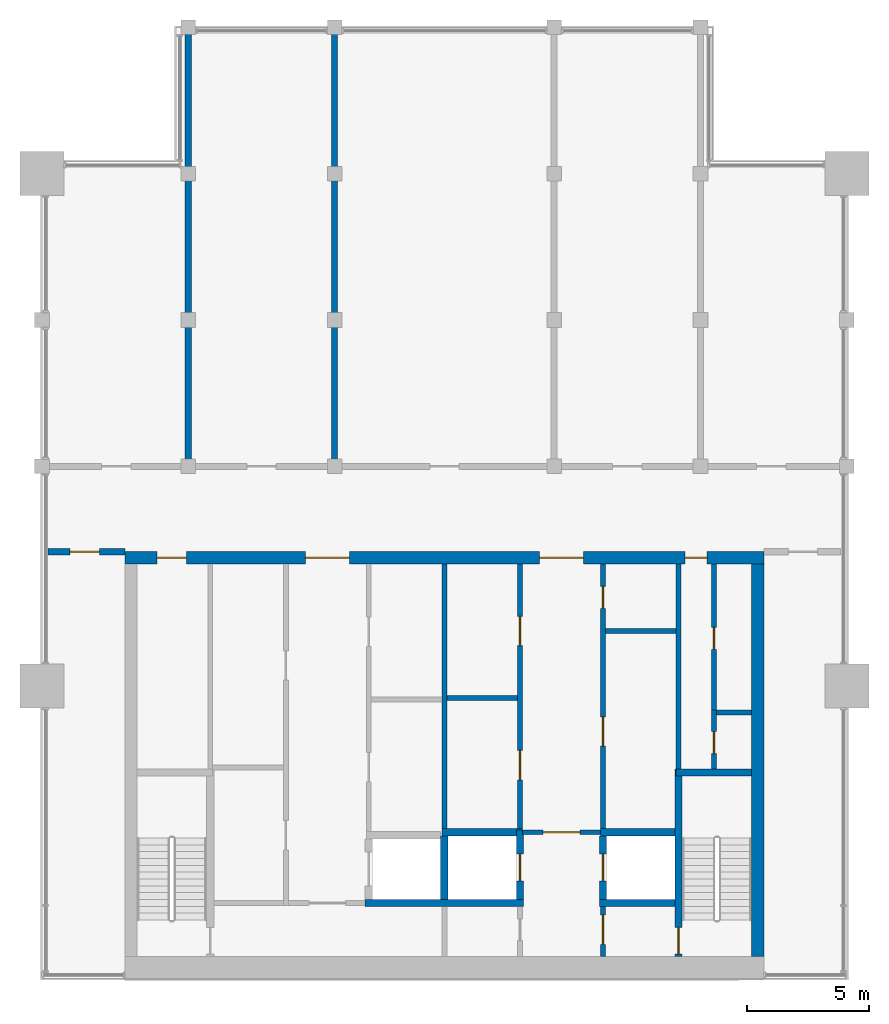
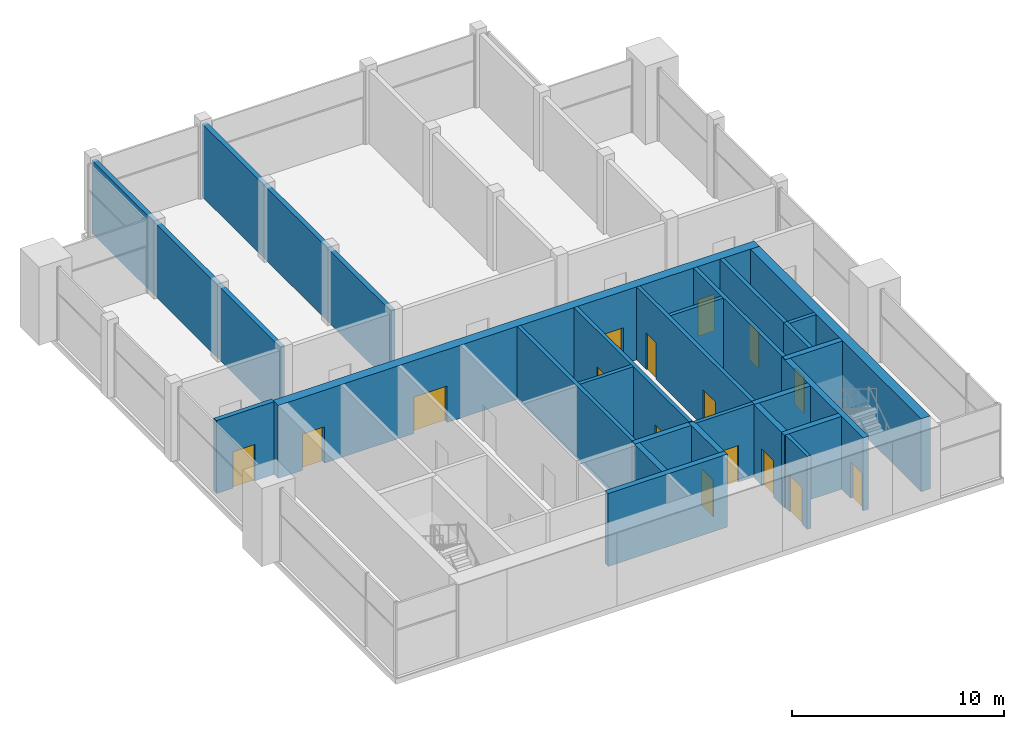
# One storey, part 7 of 9: 25 walls, 16 doors, 16 openings.
"""IFC4 building model written with IfcOpenShell, lengths in metres."""

import ifcopenshell
import ifcopenshell.guid

model = None  # the IFC model being written
_history = None  # IfcOwnerHistory: only IFC2X3 demands one
_inside = {}  # id of a spatial element -> (the spatial element, [elements in it])
_under = {}  # id of a project, library or spatial element -> (it, [spatial elements below it])
_declared = {}  # id of a project -> (the project, [libraries it declares])
_typed = {}  # id of a type object -> (the type object, [elements of that type])
_made_of = {}  # id of a material, layer set ... -> (it, [elements and type objects made of it])


def new_model(schema):
    """Start an empty IFC model of exactly this schema.

    Asked for "IFC4X3", IfcOpenShell would pick the latest addendum, in which some entities
    have other attributes; the version numbers below select the first issue.
    IFC2X3 requires an IfcOwnerHistory on every rooted entity: one is made here for all.
    """
    global model, _history
    if schema == "IFC4X3":
        model = ifcopenshell.file(schema_version=(4, 3, 0, 0))
    else:
        model = ifcopenshell.file(schema=schema)
    _inside.clear()
    _under.clear()
    _declared.clear()
    _typed.clear()
    _made_of.clear()
    _history = None
    if model.schema == "IFC2X3":
        org = make("IfcOrganization", Name="unknown")
        user = make(
            "IfcPersonAndOrganization",
            ThePerson=make("IfcPerson", FamilyName="unknown"),
            TheOrganization=org,
        )
        app = make(
            "IfcApplication",
            ApplicationDeveloper=org,
            Version="unknown",
            ApplicationFullName="unknown",
            ApplicationIdentifier="unknown",
        )
        _history = make(
            "IfcOwnerHistory",
            OwningUser=user,
            OwningApplication=app,
            ChangeAction="ADDED",
            CreationDate=0,
        )
    return model


def make(cls, **values):
    """One entity of the class cls with the attributes given. An attribute that is None is left unset."""
    return model.create_entity(
        cls, **{name: value for name, value in values.items() if value is not None}
    )


def rooted(cls, **values):
    """An entity with a GlobalId (a new one), such as an element, a storey or a relation."""
    return make(cls, GlobalId=ifcopenshell.guid.new(), OwnerHistory=_history, **values)


def si_unit(unit_type, name, prefix=None):
    """IfcSIUnit, for example si_unit("LENGTHUNIT", "METRE", prefix="MILLI")."""
    return make("IfcSIUnit", UnitType=unit_type, Prefix=prefix, Name=name)


def assignment(units):
    """IfcUnitAssignment: the units of a project."""
    return None if units is None else make("IfcUnitAssignment", Units=units)


def point(xyz):
    """IfcCartesianPoint."""
    return None if xyz is None else make("IfcCartesianPoint", Coordinates=xyz)


def direction(xyz):
    """IfcDirection."""
    return None if xyz is None else make("IfcDirection", DirectionRatios=xyz)


def frame(location, z_axis=None, x_axis=None):
    """IfcAxis2Placement3D, a coordinate frame: its origin and axes. An axis left out is left unset."""
    return make(
        "IfcAxis2Placement3D",
        Location=point(location),
        Axis=direction(z_axis),
        RefDirection=direction(x_axis),
    )


def frame_2d(location, x_axis=None):
    """IfcAxis2Placement2D, a coordinate frame in the plane: its origin and x axis."""
    return make(
        "IfcAxis2Placement2D", Location=point(location), RefDirection=direction(x_axis)
    )


def origin():
    """The frame at (0, 0, 0) with its axes left unset."""
    return frame((0.0, 0.0, 0.0))


def place(relative_to, where):
    """IfcLocalPlacement: puts the frame where relative to a parent placement (None: the world)."""
    return make(
        "IfcLocalPlacement", PlacementRelTo=relative_to, RelativePlacement=where
    )


def context(
    kind, dimensions, precision=None, world=None, true_north=None, identifier=None
):
    """IfcGeometricRepresentationContext, for example the 3D "Model" context."""
    return make(
        "IfcGeometricRepresentationContext",
        ContextIdentifier=identifier,
        ContextType=kind,
        CoordinateSpaceDimension=dimensions,
        Precision=precision,
        WorldCoordinateSystem=world,
        TrueNorth=true_north,
    )


def subcontext(parent, identifier, kind, view, scale=None):
    """IfcGeometricRepresentationSubContext, for example "Body" below "Model"."""
    return make(
        "IfcGeometricRepresentationSubContext",
        ContextIdentifier=identifier,
        ContextType=kind,
        ParentContext=parent,
        TargetScale=scale,
        TargetView=view,
    )


def project(units=None, contexts=None):
    """IfcProject with its units and contexts."""
    return rooted(
        "IfcProject",
        Name="project",
        RepresentationContexts=contexts,
        UnitsInContext=assignment(units),
    )


def spatial(cls, under=None, at=None, **own):
    """A site, building, storey or space (cls), placed at a placement, below another one or the project."""
    s = rooted(cls, ObjectPlacement=at, **own)
    if under is not None:
        _under.setdefault(under.id(), (under, []))[1].append(s)
    return s


def profile(cls, at=None, kind="AREA", **sizes):
    """A parametric profile (cls). Its sizes go by their IFC names, for example OverallWidth=200.0."""
    return make(cls, ProfileType=kind, Position=at, **sizes)


def rectangle(**sizes):
    """IfcRectangleProfileDef."""
    return profile("IfcRectangleProfileDef", **sizes)


def extrude(swept, where, along, depth):
    """IfcExtrudedAreaSolid: the profile swept, set in the frame where, extruded along a direction by depth."""
    return make(
        "IfcExtrudedAreaSolid",
        SweptArea=swept,
        Position=where,
        ExtrudedDirection=direction(along),
        Depth=depth,
    )


def shape(context_of_items, identifier, shape_type, items):
    """IfcShapeRepresentation: the items that make up one representation, for example the "Body"."""
    return make(
        "IfcShapeRepresentation",
        ContextOfItems=context_of_items,
        RepresentationIdentifier=identifier,
        RepresentationType=shape_type,
        Items=items,
    )


def material(Name=None, Category=None):
    """IfcMaterial."""
    return make("IfcMaterial", Name=Name, Category=Category)


def layer(
    of_material, thickness, ventilated=None, Name=None, Category=None, Priority=None
):
    """IfcMaterialLayer: one layer of a wall or slab, of a material (None: an air gap)."""
    return make(
        "IfcMaterialLayer",
        Material=of_material,
        LayerThickness=thickness,
        IsVentilated=ventilated,
        Name=Name,
        Category=Category,
        Priority=Priority,
    )


def layer_set(layers, Name=None):
    """IfcMaterialLayerSet."""
    return make("IfcMaterialLayerSet", MaterialLayers=layers, LayerSetName=Name)


def made_of(thing, what):
    """Note that an element or type object is made of a material, layer set ...; save() writes the relation."""
    if what is not None:
        _made_of.setdefault(what.id(), (what, []))[1].append(thing)
    return thing


def type_object(cls, material=None, **own):
    """A type object (cls), such as IfcWallType, which elements share."""
    return made_of(rooted(cls, **own), material)


def element(
    cls,
    number,
    at=None,
    inside=None,
    cuts=None,
    type_object=None,
    material=None,
    context=None,
    identifier="Body",
    shape_type=None,
    held_by="IfcProductDefinitionShape",
    body=None,
    shapes=None,
    **own,
):
    """One element of the class cls, such as IfcWall. Its Tag is "e" and its number.

    at: its placement. inside: the storey or other place that contains it. cuts: it is an
    opening in that element (IfcRelVoidsElement). A single representation is given by context,
    identifier, shape_type and body (its items); several are given by shapes. held_by: the class
    of the entity that holds the representations. save() writes the other relations.
    """
    e = rooted(cls, Tag="e%d" % number, ObjectPlacement=at, **own)
    if body is not None:
        shapes = [shape(context, identifier, shape_type, body)]
    if shapes is not None:
        e.Representation = make(held_by, Representations=shapes)
    if inside is not None:
        _inside.setdefault(inside.id(), (inside, []))[1].append(e)
    if cuts is not None:
        rooted(
            "IfcRelVoidsElement", RelatingBuildingElement=cuts, RelatedOpeningElement=e
        )
    if type_object is not None:
        _typed.setdefault(type_object.id(), (type_object, []))[1].append(e)
    return made_of(e, material)


def fill(opening, filler):
    """IfcRelFillsElement: the door or window that sits in an opening."""
    return rooted(
        "IfcRelFillsElement",
        RelatingOpeningElement=opening,
        RelatedBuildingElement=filler,
    )


def aggregate(whole, parts):
    """IfcRelAggregates: a whole, such as a stair, and the parts it consists of."""
    return rooted("IfcRelAggregates", RelatingObject=whole, RelatedObjects=parts)


def save(model, path):
    """Write the relations noted so far, then the file.

    IfcRelAggregates (storeys below a building ...), IfcRelContainedInSpatialStructure (elements
    in a storey), IfcRelDefinesByType, IfcRelAssociatesMaterial and IfcRelDeclares: one each for
    every whole, place, type object, material and project.
    """
    for whole, parts in _under.values():
        aggregate(whole, parts)
    for where, things in _inside.values():
        rooted(
            "IfcRelContainedInSpatialStructure",
            RelatedElements=things,
            RelatingStructure=where,
        )
    for kind, things in _typed.values():
        rooted("IfcRelDefinesByType", RelatedObjects=things, RelatingType=kind)
    for what, things in _made_of.values():
        rooted("IfcRelAssociatesMaterial", RelatedObjects=things, RelatingMaterial=what)
    for by, libraries in _declared.values():
        rooted("IfcRelDeclares", RelatingContext=by, RelatedDefinitions=libraries)
    model.write(path)


model = new_model("IFC4")

# Units and contexts
model_context = context("Model", 3, precision=1e-05, world=origin(), true_north=direction((0.0, 1.0)))
body_context = subcontext(model_context, "Body", "Model", "MODEL_VIEW")
ifc_project = project(units=[si_unit("LENGTHUNIT", "METRE"), si_unit("AREAUNIT", "SQUARE_METRE"), si_unit("VOLUMEUNIT", "CUBIC_METRE"), si_unit("PLANEANGLEUNIT", "RADIAN"), si_unit("MASSUNIT", "GRAM", prefix="KILO")], contexts=[model_context])

# Site, building, storey
site_placement = place(None, origin())
site = spatial("IfcSite", under=ifc_project, at=site_placement, CompositionType="ELEMENT")
building_placement = place(site_placement, origin())
building = spatial("IfcBuilding", under=site, at=building_placement, Name="Finial Court Residences", CompositionType="ELEMENT")
storey_placement = place(building_placement, frame((0.0, 0.0, 303.199951171875)))
storey = spatial("IfcBuildingStorey", under=building, at=storey_placement, Name="L77", CompositionType="ELEMENT", Elevation=303.199951171875)

# Wall, openings, doors
ifc_material_1 = material(Name="Concrete C50/60", Category="concrete")
ifc_layer_1 = layer(ifc_material_1, 0.5)
ifc_layer_set_1 = layer_set([ifc_layer_1], Name="Core outer wall 500 Concrete C50/60")
wall_type_1 = type_object("IfcWallType", Name="Core outer wall 500 Concrete C50/60", PredefinedType="SHEAR", material=ifc_layer_set_1)
wall_1_placement = place(storey_placement, frame((-13.10009765625, -8.25, 0.0), z_axis=(0.0, 0.0, 1.0), x_axis=(1.0, 0.0, 0.0)))
wall_1 = element("IfcWall", 1, at=wall_1_placement, inside=storey, type_object=wall_type_1, Name="Core outer wall L77-02", PredefinedType="SHEAR", context=body_context, shape_type="SweptSolid", body=[
    extrude(rectangle(XDim=26.2001953125, YDim=0.5, at=frame_2d((13.10009765625, 0.0))), origin(), (0.0, 0.0, 1.0), 4.199951171875),
])
opening_1_placement = place(wall_1_placement, frame((7.39990234375, 0.0, 0.0)))
opening_1 = element("IfcOpeningElement", 2, at=opening_1_placement, cuts=wall_1, Name="Opening L77-C03", PredefinedType="OPENING", context=body_context, shape_type="SweptSolid", body=[
    extrude(rectangle(XDim=1.800048828125, YDim=2.10009765625, at=frame_2d((0.89990234375, 1.050048828125))), frame((0.0, 0.260009765625, 0.0), z_axis=(0.0, -1.0, 0.0), x_axis=(1.0, 0.0, 0.0)), (0.0, 0.0, 1.0), 0.52001953125),
])
opening_2_placement = place(wall_1_placement, frame((17.0, 0.0, 0.0)))
opening_2 = element("IfcOpeningElement", 3, at=opening_2_placement, cuts=wall_1, Name="Opening L77-C04", PredefinedType="OPENING", context=body_context, shape_type="SweptSolid", body=[
    extrude(rectangle(XDim=1.800048828125, YDim=2.10009765625, at=frame_2d((0.89990234375, 1.050048828125))), frame((0.0, 0.260009765625, 0.0), z_axis=(0.0, -1.0, 0.0), x_axis=(1.0, 0.0, 0.0)), (0.0, 0.0, 1.0), 0.52001953125),
])
opening_3_placement = place(wall_1_placement, frame((1.324951171875, 0.0, 0.0)))
opening_3 = element("IfcOpeningElement", 4, at=opening_3_placement, cuts=wall_1, Name="Opening L77-C15", PredefinedType="OPENING", context=body_context, shape_type="SweptSolid", body=[
    extrude(rectangle(XDim=1.199951171875, YDim=2.10009765625, at=frame_2d((0.60009765625, 1.050048828125))), frame((0.0, 0.260009765625, 0.0), z_axis=(0.0, -1.0, 0.0), x_axis=(1.0, 0.0, 0.0)), (0.0, 0.0, 1.0), 0.52001953125),
])
opening_4_placement = place(wall_1_placement, frame((22.97509765625, 0.0, 0.0)))
opening_4 = element("IfcOpeningElement", 5, at=opening_4_placement, cuts=wall_1, Name="Opening L77-C16", PredefinedType="OPENING", context=body_context, shape_type="SweptSolid", body=[
    extrude(rectangle(XDim=0.89990234375, YDim=2.10009765625, at=frame_2d((0.449951171875, 1.050048828125))), frame((0.0, 0.260009765625, 0.0), z_axis=(0.0, -1.0, 0.0), x_axis=(1.0, 0.0, 0.0)), (0.0, 0.0, 1.0), 0.52001953125),
])
ifc_material_2 = material(Name="Steel fire door", Category="steel")
door_type_1 = type_object("IfcDoorType", Name="Lift lobby door 1800 x 2100 EI 60", OperationType="DOUBLE_DOOR_SINGLE_SWING", PredefinedType="DOOR", material=ifc_material_2)
door_1_placement = place(opening_1_placement, origin())
door_1 = element("IfcDoor", 6, at=door_1_placement, inside=storey, type_object=door_type_1, Name="Lift lobby door L77-C03", OperationType="DOUBLE_DOOR_SINGLE_SWING", OverallHeight=2.10009765625, OverallWidth=1.800048828125, PredefinedType="DOOR", context=body_context, shape_type="SweptSolid", body=[
    extrude(rectangle(XDim=1.800048828125, YDim=2.10009765625, at=frame_2d((0.89990234375, 1.050048828125))), frame((0.0, 0.02490234375, 0.0), z_axis=(0.0, -1.0, 0.0), x_axis=(1.0, 0.0, 0.0)), (0.0, 0.0, 1.0), 0.050048828125),
])
fill(opening_1, door_1)
door_2_placement = place(opening_2_placement, origin())
door_2 = element("IfcDoor", 7, at=door_2_placement, inside=storey, type_object=door_type_1, Name="Lift lobby door L77-C04", OperationType="DOUBLE_DOOR_SINGLE_SWING", OverallHeight=2.10009765625, OverallWidth=1.800048828125, PredefinedType="DOOR", context=body_context, shape_type="SweptSolid", body=[
    extrude(rectangle(XDim=1.800048828125, YDim=2.10009765625, at=frame_2d((0.89990234375, 1.050048828125))), frame((0.0, 0.02490234375, 0.0), z_axis=(0.0, -1.0, 0.0), x_axis=(1.0, 0.0, 0.0)), (0.0, 0.0, 1.0), 0.050048828125),
])
fill(opening_2, door_2)
door_type_2 = type_object("IfcDoorType", Name="Riser room door 1200 x 2100 EI 90", OperationType="NOTDEFINED", PredefinedType="DOOR", material=ifc_material_2)
door_3_placement = place(opening_3_placement, origin())
door_3 = element("IfcDoor", 8, at=door_3_placement, inside=storey, type_object=door_type_2, Name="Riser room door L77-C15", OperationType="SINGLE_SWING_LEFT", OverallHeight=2.10009765625, OverallWidth=1.199951171875, PredefinedType="DOOR", context=body_context, shape_type="SweptSolid", body=[
    extrude(rectangle(XDim=1.199951171875, YDim=2.10009765625, at=frame_2d((0.60009765625, 1.050048828125))), frame((0.0, 0.02490234375, 0.0), z_axis=(0.0, -1.0, 0.0), x_axis=(1.0, 0.0, 0.0)), (0.0, 0.0, 1.0), 0.050048828125),
])
fill(opening_3, door_3)
door_type_3 = type_object("IfcDoorType", Name="Riser room door 900 x 2100 EI 90", OperationType="NOTDEFINED", PredefinedType="DOOR", material=ifc_material_2)
door_4_placement = place(opening_4_placement, origin())
door_4 = element("IfcDoor", 9, at=door_4_placement, inside=storey, type_object=door_type_3, Name="Riser room door L77-C16", OperationType="SINGLE_SWING_LEFT", OverallHeight=2.10009765625, OverallWidth=0.89990234375, PredefinedType="DOOR", context=body_context, shape_type="SweptSolid", body=[
    extrude(rectangle(XDim=0.89990234375, YDim=2.10009765625, at=frame_2d((0.449951171875, 1.050048828125))), frame((0.0, 0.02490234375, 0.0), z_axis=(0.0, -1.0, 0.0), x_axis=(1.0, 0.0, 0.0)), (0.0, 0.0, 1.0), 0.050048828125),
])
fill(opening_4, door_4)

# Wall
wall_2_placement = place(storey_placement, frame((12.85009765625, -24.60009765625, 0.0), z_axis=(0.0, 0.0, 1.0), x_axis=(0.0, 1.0, 0.0)))
element("IfcWall", 10, at=wall_2_placement, inside=storey, type_object=wall_type_1, Name="Core outer wall L77-04", PredefinedType="SHEAR", context=body_context, shape_type="SweptSolid", body=[
    extrude(rectangle(XDim=16.10009765625, YDim=0.5, at=frame_2d((8.050048828125, 0.0))), origin(), (0.0, 0.0, 1.0), 4.199951171875),
])

# Wall, opening, door
ifc_material_3 = material(Name="Fire-rated gypsum board partition")
ifc_layer_2 = layer(ifc_material_3, 0.199951171875)
ifc_layer_set_2 = layer_set([ifc_layer_2], Name="Firefighting lobby wall 200 EI 120")
wall_type_2 = type_object("IfcWallType", Name="Firefighting lobby wall 200 EI 120", PredefinedType="PARTITIONING", material=ifc_layer_set_2)
wall_3_placement = place(storey_placement, frame((6.39990234375, -19.5, 0.0), z_axis=(0.0, 0.0, 1.0), x_axis=(-1.0, 0.0, 0.0)))
wall_3 = element("IfcWall", 11, at=wall_3_placement, inside=storey, type_object=wall_type_2, Name="Core partition L77-07", PredefinedType="PARTITIONING", context=body_context, shape_type="SweptSolid", body=[
    extrude(rectangle(XDim=3.199951171875, YDim=0.199951171875, at=frame_2d((1.60009765625, 0.0))), origin(), (0.0, 0.0, 1.0), 4.199951171875),
])
opening_5_placement = place(wall_3_placement, frame((0.85009765625, 0.0, 0.0)))
opening_5 = element("IfcOpeningElement", 12, at=opening_5_placement, cuts=wall_3, Name="Opening L77-C02", PredefinedType="OPENING", context=body_context, shape_type="SweptSolid", body=[
    extrude(rectangle(XDim=1.5, YDim=2.10009765625, at=frame_2d((0.75, 1.050048828125))), frame((0.0, 0.10986328125, 0.0), z_axis=(0.0, -1.0, 0.0), x_axis=(1.0, 0.0, 0.0)), (0.0, 0.0, 1.0), 0.219970703125),
])
door_type_4 = type_object("IfcDoorType", Name="Firefighting lobby door 1500 x 2100 EI 90", OperationType="DOUBLE_DOOR_SINGLE_SWING", PredefinedType="DOOR", material=ifc_material_2)
door_5_placement = place(opening_5_placement, origin())
door_5 = element("IfcDoor", 13, at=door_5_placement, inside=storey, type_object=door_type_4, Name="Firefighting lobby door L77-C02", OperationType="DOUBLE_DOOR_SINGLE_SWING", OverallHeight=2.10009765625, OverallWidth=1.5, PredefinedType="DOOR", context=body_context, shape_type="SweptSolid", body=[
    extrude(rectangle(XDim=1.5, YDim=2.10009765625, at=frame_2d((0.75, 1.050048828125))), frame((0.0, 0.02490234375, 0.0), z_axis=(0.0, -1.0, 0.0), x_axis=(1.0, 0.0, 0.0)), (0.0, 0.0, 1.0), 0.050048828125),
])
fill(opening_5, door_5)

wall_4_placement = place(storey_placement, frame((6.5, -22.550048828125, 0.0), z_axis=(0.0, 0.0, 1.0), x_axis=(0.0, -1.0, 0.0)))
wall_4 = element("IfcWall", 14, at=wall_4_placement, inside=storey, type_object=wall_type_2, Name="Core partition L77-27", PredefinedType="PARTITIONING", context=body_context, shape_type="SweptSolid", body=[
    extrude(rectangle(XDim=2.050048828125, YDim=0.199951171875, at=frame_2d((1.02490234375, 0.0))), origin(), (0.0, 0.0, 1.0), 4.199951171875),
])
opening_6_placement = place(wall_4_placement, frame((0.35009765625, 0.0, 0.0)))
opening_6 = element("IfcOpeningElement", 15, at=opening_6_placement, cuts=wall_4, Name="Opening L77-C01", PredefinedType="OPENING", context=body_context, shape_type="SweptSolid", body=[
    extrude(rectangle(XDim=1.199951171875, YDim=2.10009765625, at=frame_2d((0.60009765625, 1.050048828125))), frame((0.0, 0.10986328125, 0.0), z_axis=(0.0, -1.0, 0.0), x_axis=(1.0, 0.0, 0.0)), (0.0, 0.0, 1.0), 0.219970703125),
])
door_type_5 = type_object("IfcDoorType", Name="Firefighting lobby door 1200 x 2100 EI 90", OperationType="NOTDEFINED", PredefinedType="DOOR", material=ifc_material_2)
door_6_placement = place(opening_6_placement, origin())
door_6 = element("IfcDoor", 16, at=door_6_placement, inside=storey, type_object=door_type_5, Name="Firefighting lobby door L77-C01", OperationType="SINGLE_SWING_RIGHT", OverallHeight=2.10009765625, OverallWidth=1.199951171875, PredefinedType="DOOR", context=body_context, shape_type="SweptSolid", body=[
    extrude(rectangle(XDim=1.199951171875, YDim=2.10009765625, at=frame_2d((0.60009765625, 1.050048828125))), frame((0.0, 0.02490234375, 0.0), z_axis=(0.0, -1.0, 0.0), x_axis=(1.0, 0.0, 0.0)), (0.0, 0.0, 1.0), 0.050048828125),
])
fill(opening_6, door_6)

# Walls
ifc_layer_3 = layer(ifc_material_1, 0.300048828125)
ifc_layer_set_3 = layer_set([ifc_layer_3], Name="Lift shaft and stair wall 300 Concrete C50/60")
wall_type_3 = type_object("IfcWallType", Name="Lift shaft and stair wall 300 Concrete C50/60", PredefinedType="SHEAR", material=ifc_layer_set_3)
wall_5_placement = place(storey_placement, frame((-3.25, -22.39990234375, 0.0), z_axis=(0.0, 0.0, 1.0), x_axis=(1.0, 0.0, 0.0)))
element("IfcWall", 17, at=wall_5_placement, inside=storey, type_object=wall_type_3, Name="Core wall L77-03", PredefinedType="SHEAR", context=body_context, shape_type="SweptSolid", body=[
    extrude(rectangle(XDim=6.5, YDim=0.300048828125, at=frame_2d((3.25, 0.0))), origin(), (0.0, 0.0, 1.0), 4.199951171875),
])
wall_6_placement = place(storey_placement, frame((6.35009765625, -22.39990234375, 0.0), z_axis=(0.0, 0.0, 1.0), x_axis=(1.0, 0.0, 0.0)))
element("IfcWall", 18, at=wall_6_placement, inside=storey, type_object=wall_type_3, Name="Core wall L77-04", PredefinedType="SHEAR", context=body_context, shape_type="SweptSolid", body=[
    extrude(rectangle(XDim=3.099853515625, YDim=0.300048828125, at=frame_2d((1.5498046875, 0.0))), origin(), (0.0, 0.0, 1.0), 4.199951171875),
])
wall_7_placement = place(storey_placement, frame((-0.10009765625, -19.5, 0.0), z_axis=(0.0, 0.0, 1.0), x_axis=(1.0, 0.0, 0.0)))
element("IfcWall", 19, at=wall_7_placement, inside=storey, type_object=wall_type_3, Name="Core wall L77-06", PredefinedType="SHEAR", context=body_context, shape_type="SweptSolid", body=[
    extrude(rectangle(XDim=3.300048828125, YDim=0.300048828125, at=frame_2d((1.64990234375, 0.0))), origin(), (0.0, 0.0, 1.0), 4.199951171875),
])
wall_8_placement = place(storey_placement, frame((6.39990234375, -19.5, 0.0), z_axis=(0.0, 0.0, 1.0), x_axis=(1.0, 0.0, 0.0)))
element("IfcWall", 20, at=wall_8_placement, inside=storey, type_object=wall_type_3, Name="Core wall L77-08", PredefinedType="SHEAR", context=body_context, shape_type="SweptSolid", body=[
    extrude(rectangle(XDim=3.050048828125, YDim=0.300048828125, at=frame_2d((1.52490234375, 0.0))), origin(), (0.0, 0.0, 1.0), 4.199951171875),
])
wall_9_placement = place(storey_placement, frame((9.5, -17.050048828125, 0.0), z_axis=(0.0, 0.0, 1.0), x_axis=(1.0, 0.0, 0.0)))
element("IfcWall", 21, at=wall_9_placement, inside=storey, type_object=wall_type_3, Name="Core wall L77-10", PredefinedType="SHEAR", context=body_context, shape_type="SweptSolid", body=[
    extrude(rectangle(XDim=3.10009765625, YDim=0.300048828125, at=frame_2d((1.550048828125, 0.0))), origin(), (0.0, 0.0, 1.0), 4.199951171875),
])
wall_10_placement = place(storey_placement, frame((0.0, -22.25, 0.0), z_axis=(0.0, 0.0, 1.0), x_axis=(0.0, 1.0, 0.0)))
element("IfcWall", 22, at=wall_10_placement, inside=storey, type_object=wall_type_3, Name="Core wall L77-22", PredefinedType="SHEAR", context=body_context, shape_type="SweptSolid", body=[
    extrude(rectangle(XDim=2.60009765625, YDim=0.300048828125, at=frame_2d((1.300048828125, 0.0))), origin(), (0.0, 0.0, 1.0), 4.199951171875),
])

# Wall, opening, door
wall_11_placement = place(storey_placement, frame((3.10009765625, -22.25, 0.0), z_axis=(0.0, 0.0, 1.0), x_axis=(0.0, 1.0, 0.0)))
wall_11 = element("IfcWall", 23, at=wall_11_placement, inside=storey, type_object=wall_type_3, Name="Core wall L77-25", PredefinedType="SHEAR", context=body_context, shape_type="SweptSolid", body=[
    extrude(rectangle(XDim=2.85009765625, YDim=0.300048828125, at=frame_2d((1.425048828125, 0.0))), origin(), (0.0, 0.0, 1.0), 4.199951171875),
])
opening_7_placement = place(wall_11_placement, frame((0.75, 0.0, 0.0)))
opening_7 = element("IfcOpeningElement", 24, at=opening_7_placement, cuts=wall_11, Name="Opening L77-LD01", PredefinedType="OPENING", context=body_context, shape_type="SweptSolid", body=[
    extrude(rectangle(XDim=1.10009765625, YDim=2.10009765625, at=frame_2d((0.550048828125, 1.050048828125))), frame((0.0, 0.159912109375, 0.0), z_axis=(0.0, -1.0, 0.0), x_axis=(1.0, 0.0, 0.0)), (0.0, 0.0, 1.0), 0.320068359375),
])
ifc_material_4 = material(Name="Stainless steel lift door", Category="steel")
door_type_6 = type_object("IfcDoorType", Name="Lift landing door 1100 x 2100 EI 90", OperationType="DOUBLE_DOOR_SLIDING", PredefinedType="DOOR", material=ifc_material_4)
door_7_placement = place(opening_7_placement, origin())
door_7 = element("IfcDoor", 25, at=door_7_placement, inside=storey, type_object=door_type_6, Name="Lift landing door FF1 L77", OperationType="DOUBLE_DOOR_SLIDING", OverallHeight=2.10009765625, OverallWidth=1.10009765625, PredefinedType="DOOR", context=body_context, shape_type="SweptSolid", body=[
    extrude(rectangle(XDim=1.10009765625, YDim=2.10009765625, at=frame_2d((0.550048828125, 1.050048828125))), frame((0.0, 0.02490234375, 0.0), z_axis=(0.0, -1.0, 0.0), x_axis=(1.0, 0.0, 0.0)), (0.0, 0.0, 1.0), 0.050048828125),
])
fill(opening_7, door_7)

wall_12_placement = place(storey_placement, frame((6.5, -22.25, 0.0), z_axis=(0.0, 0.0, 1.0), x_axis=(0.0, 1.0, 0.0)))
wall_12 = element("IfcWall", 26, at=wall_12_placement, inside=storey, type_object=wall_type_3, Name="Core wall L77-28", PredefinedType="SHEAR", context=body_context, shape_type="SweptSolid", body=[
    extrude(rectangle(XDim=2.60009765625, YDim=0.300048828125, at=frame_2d((1.300048828125, 0.0))), origin(), (0.0, 0.0, 1.0), 4.199951171875),
])
opening_8_placement = place(wall_12_placement, frame((0.75, 0.0, 0.0)))
opening_8 = element("IfcOpeningElement", 27, at=opening_8_placement, cuts=wall_12, Name="Opening L77-LD02", PredefinedType="OPENING", context=body_context, shape_type="SweptSolid", body=[
    extrude(rectangle(XDim=1.10009765625, YDim=2.10009765625, at=frame_2d((0.550048828125, 1.050048828125))), frame((0.0, 0.159912109375, 0.0), z_axis=(0.0, -1.0, 0.0), x_axis=(1.0, 0.0, 0.0)), (0.0, 0.0, 1.0), 0.320068359375),
])
door_8_placement = place(opening_8_placement, origin())
door_8 = element("IfcDoor", 28, at=door_8_placement, inside=storey, type_object=door_type_6, Name="Lift landing door FF2 L77", OperationType="DOUBLE_DOOR_SLIDING", OverallHeight=2.10009765625, OverallWidth=1.10009765625, PredefinedType="DOOR", context=body_context, shape_type="SweptSolid", body=[
    extrude(rectangle(XDim=1.10009765625, YDim=2.10009765625, at=frame_2d((0.550048828125, 1.050048828125))), frame((0.0, 0.02490234375, 0.0), z_axis=(0.0, -1.0, 0.0), x_axis=(1.0, 0.0, 0.0)), (0.0, 0.0, 1.0), 0.050048828125),
])
fill(opening_8, door_8)

wall_13_placement = place(storey_placement, frame((9.60009765625, -16.89990234375, 0.0), z_axis=(0.0, 0.0, 1.0), x_axis=(0.0, -1.0, 0.0)))
wall_13 = element("IfcWall", 29, at=wall_13_placement, inside=storey, type_object=wall_type_3, Name="Core wall L77-30", PredefinedType="SHEAR", context=body_context, shape_type="SweptSolid", body=[
    extrude(rectangle(XDim=7.7001953125, YDim=0.300048828125, at=frame_2d((3.85009765625, 0.0))), origin(), (0.0, 0.0, 1.0), 4.199951171875),
])
opening_9_placement = place(wall_13_placement, frame((6.5, 0.0, 0.0)))
opening_9 = element("IfcOpeningElement", 30, at=opening_9_placement, cuts=wall_13, Name="Opening L77-C20", PredefinedType="OPENING", context=body_context, shape_type="SweptSolid", body=[
    extrude(rectangle(XDim=1.10009765625, YDim=2.10009765625, at=frame_2d((0.550048828125, 1.050048828125))), frame((0.0, 0.159912109375, 0.0), z_axis=(0.0, -1.0, 0.0), x_axis=(1.0, 0.0, 0.0)), (0.0, 0.0, 1.0), 0.320068359375),
])
door_type_7 = type_object("IfcDoorType", Name="Stair door 1100 x 2100 EI 90", OperationType="NOTDEFINED", PredefinedType="DOOR", material=ifc_material_2)
door_9_placement = place(opening_9_placement, origin())
door_9 = element("IfcDoor", 31, at=door_9_placement, inside=storey, type_object=door_type_7, Name="Stair door L77-C20", OperationType="SINGLE_SWING_RIGHT", OverallHeight=2.10009765625, OverallWidth=1.10009765625, PredefinedType="DOOR", context=body_context, shape_type="SweptSolid", body=[
    extrude(rectangle(XDim=1.10009765625, YDim=2.10009765625, at=frame_2d((0.550048828125, 1.050048828125))), frame((0.0, 0.02490234375, 0.0), z_axis=(0.0, -1.0, 0.0), x_axis=(1.0, 0.0, 0.0)), (0.0, 0.0, 1.0), 0.050048828125),
])
fill(opening_9, door_9)

ifc_material_5 = material(Name="Fire-rated board")
ifc_layer_4 = layer(ifc_material_5, 0.050048828125)
ifc_material_6 = material(Name="Mineral wool in double frame")
ifc_layer_5 = layer(ifc_material_6, 0.14990234375)
ifc_layer_6 = layer(ifc_material_5, 0.050048828125)
ifc_layer_set_4 = layer_set([ifc_layer_4, ifc_layer_5, ifc_layer_6], Name="Plant room wall 250, 2 hour")
wall_type_4 = type_object("IfcWallType", Name="Plant room wall 250, 2 hour", PredefinedType="PARTITIONING", material=ifc_layer_set_4)
wall_14_placement = place(storey_placement, frame((-16.25, -8.0, 0.0), z_axis=(0.0, 0.0, 1.0), x_axis=(1.0, 0.0, 0.0)))
wall_14 = element("IfcWall", 32, at=wall_14_placement, inside=storey, type_object=wall_type_4, Name="Partition L77-000", PredefinedType="PARTITIONING", context=body_context, shape_type="SweptSolid", body=[
    extrude(rectangle(XDim=3.14990234375, YDim=0.25, at=frame_2d((1.574951171875, 0.0))), origin(), (0.0, 0.0, 1.0), 4.199951171875),
])
opening_10_placement = place(wall_14_placement, frame((0.89990234375, 0.0, 0.0)))
opening_10 = element("IfcOpeningElement", 33, at=opening_10_placement, cuts=wall_14, Name="Opening L77-D001", PredefinedType="OPENING", context=body_context, shape_type="SweptSolid", body=[
    extrude(rectangle(XDim=1.199951171875, YDim=2.10009765625, at=frame_2d((0.60009765625, 1.050048828125))), frame((0.0, 0.135009765625, 0.0), z_axis=(0.0, -1.0, 0.0), x_axis=(1.0, 0.0, 0.0)), (0.0, 0.0, 1.0), 0.27001953125),
])
ifc_material_7 = material(Name="Timber door leaf in hollow metal frame", Category="wood")
door_type_8 = type_object("IfcDoorType", Name="Fire door set 1200 x 2100, 60 minutes", OperationType="SINGLE_SWING_LEFT", PredefinedType="DOOR", material=ifc_material_7)
door_10_placement = place(opening_10_placement, origin())
door_10 = element("IfcDoor", 34, at=door_10_placement, inside=storey, type_object=door_type_8, Name="Door L77-D001", OperationType="SINGLE_SWING_RIGHT", OverallHeight=2.10009765625, OverallWidth=1.199951171875, PredefinedType="DOOR", context=body_context, shape_type="SweptSolid", body=[
    extrude(rectangle(XDim=1.199951171875, YDim=2.10009765625, at=frame_2d((0.60009765625, 1.050048828125))), frame((0.0, 0.02490234375, 0.0), z_axis=(0.0, -1.0, 0.0), x_axis=(1.0, 0.0, 0.0)), (0.0, 0.0, 1.0), 0.050048828125),
])
fill(opening_10, door_10)

# Walls
for number, where, z_axis, x_axis, name in (
    (35, (-10.5, -4.375, 0.0), (0.0, 0.0, 1.0), (0.0, 1.0, 0.0), "Partition L77-003"),
    (36, (-4.5, -4.375, 0.0), (0.0, 0.0, 1.0), (0.0, 1.0, 0.0), "Partition L77-004"),
):
    element("IfcWall", number, at=place(storey_placement, frame(where, z_axis=z_axis, x_axis=x_axis)), inside=storey, type_object=wall_type_4, Name=name, PredefinedType="PARTITIONING", context=body_context, shape_type="SweptSolid", body=[
        extrude(rectangle(XDim=17.72509765625, YDim=0.25, at=frame_2d((8.862548828125, 0.0))), origin(), (0.0, 0.0, 1.0), 4.199951171875),
    ])
ifc_layer_7 = layer(ifc_material_3, 0.199951171875)
ifc_layer_set_5 = layer_set([ifc_layer_7], Name="Riser room wall 200 EI 120")
wall_type_5 = type_object("IfcWallType", Name="Riser room wall 200 EI 120", PredefinedType="PARTITIONING", material=ifc_layer_set_5)
wall_15_placement = place(storey_placement, frame((11.14990234375, -14.60009765625, 0.0), z_axis=(0.0, 0.0, 1.0), x_axis=(1.0, 0.0, 0.0)))
element("IfcWall", 37, at=wall_15_placement, inside=storey, type_object=wall_type_5, Name="Core partition L77-12", PredefinedType="PARTITIONING", context=body_context, shape_type="SweptSolid", body=[
    extrude(rectangle(XDim=1.4501953125, YDim=0.199951171875, at=frame_2d((0.72509765625, 0.0))), origin(), (0.0, 0.0, 1.0), 4.199951171875),
])
for number, where, z_axis, x_axis, name in (
    (38, (0.10009765625, -14.0, 0.0), (0.0, 0.0, 1.0), (1.0, 0.0, 0.0), "Core partition L77-14"),
    (39, (6.60009765625, -11.25, 0.0), (0.0, 0.0, 1.0), (1.0, 0.0, 0.0), "Core partition L77-15"),
):
    element("IfcWall", number, at=place(storey_placement, frame(where, z_axis=z_axis, x_axis=x_axis)), inside=storey, type_object=wall_type_5, Name=name, PredefinedType="PARTITIONING", context=body_context, shape_type="SweptSolid", body=[
        extrude(rectangle(XDim=2.89990234375, YDim=0.199951171875, at=frame_2d((1.449951171875, 0.0))), origin(), (0.0, 0.0, 1.0), 4.199951171875),
    ])
wall_16_placement = place(storey_placement, frame((0.0, -19.35009765625, 0.0), z_axis=(0.0, 0.0, 1.0), x_axis=(0.0, 1.0, 0.0)))
element("IfcWall", 40, at=wall_16_placement, inside=storey, type_object=wall_type_5, Name="Core partition L77-23", PredefinedType="PARTITIONING", context=body_context, shape_type="SweptSolid", body=[
    extrude(rectangle(XDim=10.85009765625, YDim=0.199951171875, at=frame_2d((5.425048828125, 0.0))), origin(), (0.0, 0.0, 1.0), 4.199951171875),
])

# Wall, openings, doors
wall_17_placement = place(storey_placement, frame((3.10009765625, -19.60009765625, 0.0), z_axis=(0.0, 0.0, 1.0), x_axis=(0.0, 1.0, 0.0)))
wall_17 = element("IfcWall", 41, at=wall_17_placement, inside=storey, type_object=wall_type_5, Name="Core partition L77-26", PredefinedType="PARTITIONING", context=body_context, shape_type="SweptSolid", body=[
    extrude(rectangle(XDim=11.10009765625, YDim=0.199951171875, at=frame_2d((5.550048828125, 0.0))), origin(), (0.0, 0.0, 1.0), 4.199951171875),
])
opening_11_placement = place(wall_17_placement, frame((2.25, 0.0, 0.0)))
opening_11 = element("IfcOpeningElement", 42, at=opening_11_placement, cuts=wall_17, Name="Opening L77-C11", PredefinedType="OPENING", context=body_context, shape_type="SweptSolid", body=[
    extrude(rectangle(XDim=1.199951171875, YDim=2.10009765625, at=frame_2d((0.60009765625, 1.050048828125))), frame((0.0, 0.10986328125, 0.0), z_axis=(0.0, -1.0, 0.0), x_axis=(1.0, 0.0, 0.0)), (0.0, 0.0, 1.0), 0.219970703125),
])
opening_12_placement = place(wall_17_placement, frame((7.75, 0.0, 0.0)))
opening_12 = element("IfcOpeningElement", 43, at=opening_12_placement, cuts=wall_17, Name="Opening L77-C12", PredefinedType="OPENING", context=body_context, shape_type="SweptSolid", body=[
    extrude(rectangle(XDim=1.199951171875, YDim=2.10009765625, at=frame_2d((0.60009765625, 1.050048828125))), frame((0.0, 0.10986328125, 0.0), z_axis=(0.0, -1.0, 0.0), x_axis=(1.0, 0.0, 0.0)), (0.0, 0.0, 1.0), 0.219970703125),
])
door_11_placement = place(opening_11_placement, origin())
door_11 = element("IfcDoor", 44, at=door_11_placement, inside=storey, type_object=door_type_2, Name="Riser room door L77-C11", OperationType="SINGLE_SWING_LEFT", OverallHeight=2.10009765625, OverallWidth=1.199951171875, PredefinedType="DOOR", context=body_context, shape_type="SweptSolid", body=[
    extrude(rectangle(XDim=1.199951171875, YDim=2.10009765625, at=frame_2d((0.60009765625, 1.050048828125))), frame((0.0, 0.02490234375, 0.0), z_axis=(0.0, -1.0, 0.0), x_axis=(1.0, 0.0, 0.0)), (0.0, 0.0, 1.0), 0.050048828125),
])
fill(opening_11, door_11)
door_12_placement = place(opening_12_placement, origin())
door_12 = element("IfcDoor", 45, at=door_12_placement, inside=storey, type_object=door_type_2, Name="Riser room door L77-C12", OperationType="SINGLE_SWING_LEFT", OverallHeight=2.10009765625, OverallWidth=1.199951171875, PredefinedType="DOOR", context=body_context, shape_type="SweptSolid", body=[
    extrude(rectangle(XDim=1.199951171875, YDim=2.10009765625, at=frame_2d((0.60009765625, 1.050048828125))), frame((0.0, 0.02490234375, 0.0), z_axis=(0.0, -1.0, 0.0), x_axis=(1.0, 0.0, 0.0)), (0.0, 0.0, 1.0), 0.050048828125),
])
fill(opening_12, door_12)

wall_18_placement = place(storey_placement, frame((6.5, -8.5, 0.0), z_axis=(0.0, 0.0, 1.0), x_axis=(0.0, -1.0, 0.0)))
wall_18 = element("IfcWall", 46, at=wall_18_placement, inside=storey, type_object=wall_type_5, Name="Core partition L77-29", PredefinedType="PARTITIONING", context=body_context, shape_type="SweptSolid", body=[
    extrude(rectangle(XDim=10.85009765625, YDim=0.199951171875, at=frame_2d((5.425048828125, 0.0))), origin(), (0.0, 0.0, 1.0), 4.199951171875),
])
opening_13_placement = place(wall_18_placement, frame((6.27490234375, 0.0, 0.0)))
opening_13 = element("IfcOpeningElement", 47, at=opening_13_placement, cuts=wall_18, Name="Opening L77-C13", PredefinedType="OPENING", context=body_context, shape_type="SweptSolid", body=[
    extrude(rectangle(XDim=1.199951171875, YDim=2.10009765625, at=frame_2d((0.60009765625, 1.050048828125))), frame((0.0, 0.10986328125, 0.0), z_axis=(0.0, -1.0, 0.0), x_axis=(1.0, 0.0, 0.0)), (0.0, 0.0, 1.0), 0.219970703125),
])
opening_14_placement = place(wall_18_placement, frame((0.925048828125, 0.0, 0.0)))
opening_14 = element("IfcOpeningElement", 48, at=opening_14_placement, cuts=wall_18, Name="Opening L77-C14", PredefinedType="OPENING", context=body_context, shape_type="SweptSolid", body=[
    extrude(rectangle(XDim=0.89990234375, YDim=2.10009765625, at=frame_2d((0.449951171875, 1.050048828125))), frame((0.0, 0.10986328125, 0.0), z_axis=(0.0, -1.0, 0.0), x_axis=(1.0, 0.0, 0.0)), (0.0, 0.0, 1.0), 0.219970703125),
])
door_13_placement = place(opening_13_placement, origin())
door_13 = element("IfcDoor", 49, at=door_13_placement, inside=storey, type_object=door_type_2, Name="Riser room door L77-C13", OperationType="SINGLE_SWING_RIGHT", OverallHeight=2.10009765625, OverallWidth=1.199951171875, PredefinedType="DOOR", context=body_context, shape_type="SweptSolid", body=[
    extrude(rectangle(XDim=1.199951171875, YDim=2.10009765625, at=frame_2d((0.60009765625, 1.050048828125))), frame((0.0, 0.02490234375, 0.0), z_axis=(0.0, -1.0, 0.0), x_axis=(1.0, 0.0, 0.0)), (0.0, 0.0, 1.0), 0.050048828125),
])
fill(opening_13, door_13)
door_14_placement = place(opening_14_placement, origin())
door_14 = element("IfcDoor", 50, at=door_14_placement, inside=storey, type_object=door_type_3, Name="Riser room door L77-C14", OperationType="SINGLE_SWING_RIGHT", OverallHeight=2.10009765625, OverallWidth=0.89990234375, PredefinedType="DOOR", context=body_context, shape_type="SweptSolid", body=[
    extrude(rectangle(XDim=0.89990234375, YDim=2.10009765625, at=frame_2d((0.449951171875, 1.050048828125))), frame((0.0, 0.02490234375, 0.0), z_axis=(0.0, -1.0, 0.0), x_axis=(1.0, 0.0, 0.0)), (0.0, 0.0, 1.0), 0.050048828125),
])
fill(opening_14, door_14)

# Wall
wall_19_placement = place(storey_placement, frame((9.60009765625, -16.89990234375, 0.0), z_axis=(0.0, 0.0, 1.0), x_axis=(0.0, 1.0, 0.0)))
element("IfcWall", 51, at=wall_19_placement, inside=storey, type_object=wall_type_5, Name="Core partition L77-31", PredefinedType="PARTITIONING", context=body_context, shape_type="SweptSolid", body=[
    extrude(rectangle(XDim=8.39990234375, YDim=0.199951171875, at=frame_2d((4.199951171875, 0.0))), origin(), (0.0, 0.0, 1.0), 4.199951171875),
])

# Wall, opening, door
wall_20_placement = place(storey_placement, frame((11.050048828125, -8.5, 0.0), z_axis=(0.0, 0.0, 1.0), x_axis=(0.0, -1.0, 0.0)))
wall_20 = element("IfcWall", 52, at=wall_20_placement, inside=storey, type_object=wall_type_5, Name="Core partition L77-33", PredefinedType="PARTITIONING", context=body_context, shape_type="SweptSolid", body=[
    extrude(rectangle(XDim=6.199951171875, YDim=0.199951171875, at=frame_2d((3.10009765625, 0.0))), origin(), (0.0, 0.0, 1.0), 4.199951171875),
])
opening_15_placement = place(wall_20_placement, frame((2.60009765625, 0.0, 0.0)))
opening_15 = element("IfcOpeningElement", 53, at=opening_15_placement, cuts=wall_20, Name="Opening L77-C06", PredefinedType="OPENING", context=body_context, shape_type="SweptSolid", body=[
    extrude(rectangle(XDim=0.89990234375, YDim=2.10009765625, at=frame_2d((0.449951171875, 1.050048828125))), frame((0.0, 0.10986328125, 0.0), z_axis=(0.0, -1.0, 0.0), x_axis=(1.0, 0.0, 0.0)), (0.0, 0.0, 1.0), 0.219970703125),
])
door_15_placement = place(opening_15_placement, origin())
door_15 = element("IfcDoor", 54, at=door_15_placement, inside=storey, type_object=door_type_3, Name="Riser room door L77-C06", OperationType="SINGLE_SWING_RIGHT", OverallHeight=2.10009765625, OverallWidth=0.89990234375, PredefinedType="DOOR", context=body_context, shape_type="SweptSolid", body=[
    extrude(rectangle(XDim=0.89990234375, YDim=2.10009765625, at=frame_2d((0.449951171875, 1.050048828125))), frame((0.0, 0.02490234375, 0.0), z_axis=(0.0, -1.0, 0.0), x_axis=(1.0, 0.0, 0.0)), (0.0, 0.0, 1.0), 0.050048828125),
])
fill(opening_15, door_15)

ifc_layer_8 = layer(ifc_material_3, 0.199951171875)
ifc_layer_set_6 = layer_set([ifc_layer_8], Name="Stair passage wall 200 EI 180")
wall_type_6 = type_object("IfcWallType", Name="Stair passage wall 200 EI 180", PredefinedType="PARTITIONING", material=ifc_layer_set_6)
wall_21_placement = place(storey_placement, frame((11.050048828125, -14.5, 0.0), z_axis=(0.0, 0.0, 1.0), x_axis=(0.0, -1.0, 0.0)))
wall_21 = element("IfcWall", 55, at=wall_21_placement, inside=storey, type_object=wall_type_6, Name="Core partition L77-32", PredefinedType="PARTITIONING", context=body_context, shape_type="SweptSolid", body=[
    extrude(rectangle(XDim=2.39990234375, YDim=0.199951171875, at=frame_2d((1.199951171875, 0.0))), origin(), (0.0, 0.0, 1.0), 4.199951171875),
])
opening_16_placement = place(wall_21_placement, frame((0.875, 0.0, 0.0)))
opening_16 = element("IfcOpeningElement", 56, at=opening_16_placement, cuts=wall_21, Name="Opening L77-C18", PredefinedType="OPENING", context=body_context, shape_type="SweptSolid", body=[
    extrude(rectangle(XDim=0.89990234375, YDim=2.10009765625, at=frame_2d((0.449951171875, 1.050048828125))), frame((0.0, 0.10986328125, 0.0), z_axis=(0.0, -1.0, 0.0), x_axis=(1.0, 0.0, 0.0)), (0.0, 0.0, 1.0), 0.219970703125),
])
door_type_9 = type_object("IfcDoorType", Name="Core room door 900 x 2100 EI 60", OperationType="NOTDEFINED", PredefinedType="DOOR", material=ifc_material_2)
door_16_placement = place(opening_16_placement, origin())
door_16 = element("IfcDoor", 57, at=door_16_placement, inside=storey, type_object=door_type_9, Name="Core room door L77-C18", OperationType="SINGLE_SWING_LEFT", OverallHeight=2.10009765625, OverallWidth=0.89990234375, PredefinedType="DOOR", context=body_context, shape_type="SweptSolid", body=[
    extrude(rectangle(XDim=0.89990234375, YDim=2.10009765625, at=frame_2d((0.449951171875, 1.050048828125))), frame((0.0, 0.02490234375, 0.0), z_axis=(0.0, -1.0, 0.0), x_axis=(1.0, 0.0, 0.0)), (0.0, 0.0, 1.0), 0.050048828125),
])
fill(opening_16, door_16)

save(model, "model.ifc")
